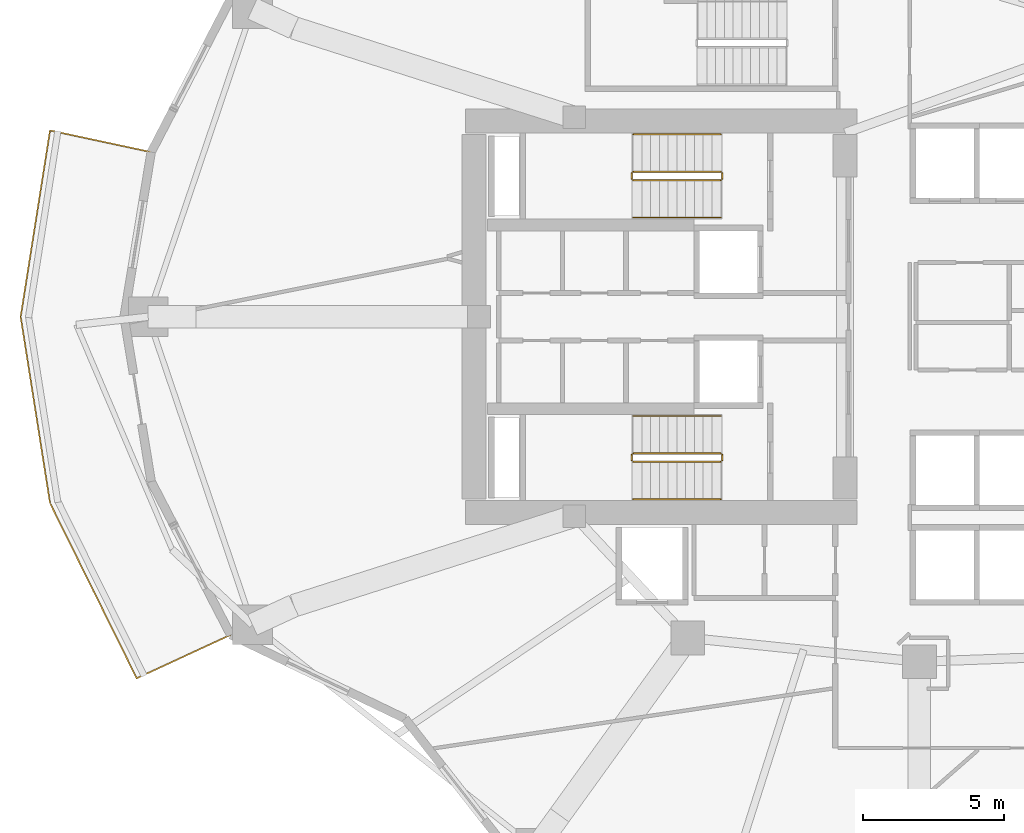
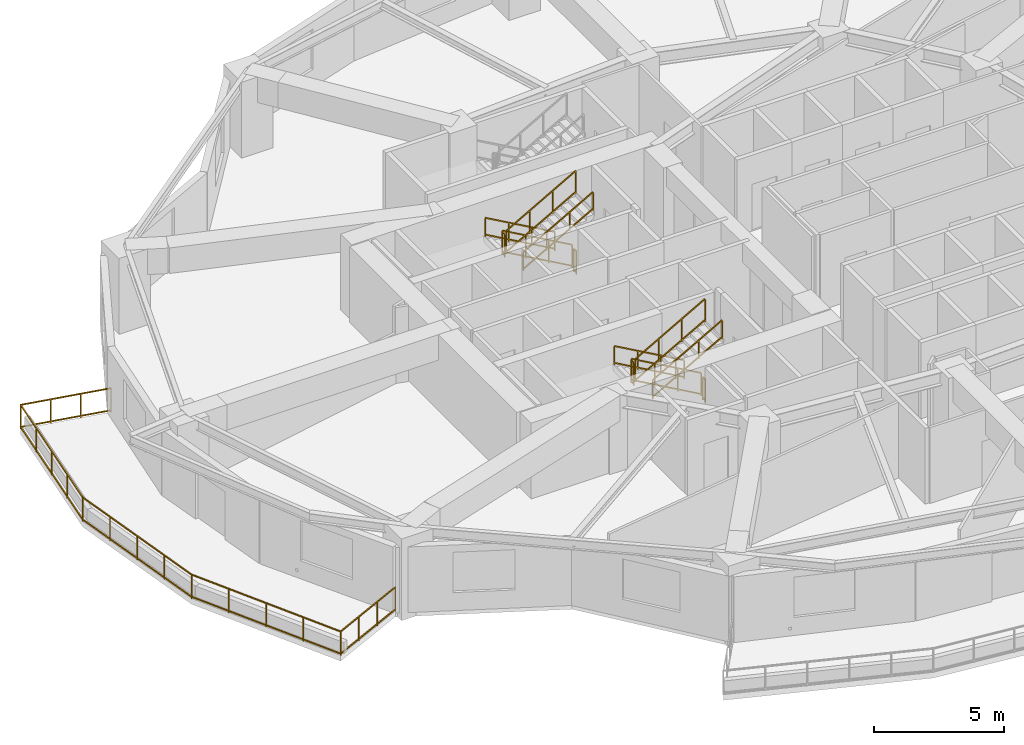
# One storey, part 10 of 13: 13 railings.
"""IFC4 building model written with IfcOpenShell, lengths in metres."""

from ifc_helpers import new_model, si_unit, direction, frame, origin, origin_2d, place, context, subcontext, project, spatial, rectangle, extrude, material, type_object, element, save


model = new_model("IFC4")

# Units and contexts
model_context = context("Model", 3, precision=1e-05, world=origin(), true_north=direction((0.0, 1.0)))
body_context = subcontext(model_context, "Body", "Model", "MODEL_VIEW")
ifc_project = project(units=[si_unit("LENGTHUNIT", "METRE"), si_unit("AREAUNIT", "SQUARE_METRE"), si_unit("VOLUMEUNIT", "CUBIC_METRE"), si_unit("PLANEANGLEUNIT", "RADIAN"), si_unit("MASSUNIT", "GRAM", prefix="KILO")], contexts=[model_context])

# Site, building, storey
site_placement = place(None, origin())
site = spatial("IfcSite", under=ifc_project, at=site_placement, CompositionType="ELEMENT")
building_placement = place(site_placement, origin())
building = spatial("IfcBuilding", under=site, at=building_placement, Name="Kolvaren Gate Tower and Convention Centre", CompositionType="ELEMENT")
storey_placement = place(building_placement, frame((0.0, 0.0, 49.60009765625)))
storey = spatial("IfcBuildingStorey", under=building, at=storey_placement, Name="L11", CompositionType="ELEMENT", Elevation=49.60009765625)

# Railings
ifc_material = material(Name="Brushed Stainless Steel Grade 316L", Category="steel")
railing_type_1 = type_object("IfcRailingType", Name="ARCH-RL-GUARD-1150", PredefinedType="GUARDRAIL", material=ifc_material)
railing_1_placement = place(storey_placement, frame((23.10009765625, 32.1298828125, 0.1748046875)))
element("IfcRailing", 1, at=railing_1_placement, inside=storey, type_object=railing_type_1, Name="L11 ST-T1 stair guard 1", PredefinedType="GUARDRAIL", context=body_context, shape_type="SweptSolid", body=[
    extrude(rectangle(XDim=0.048095703125, YDim=0.048095703125, at=origin_2d()), frame((0.0, 0.0, 1.076171875), z_axis=(-0.870830938388, 0.0, 0.491582624537), x_axis=(0.0, -1.0, 0.0)), (0.0, 0.0, 1.0), 3.559814453125),
    extrude(rectangle(XDim=0.048095703125, YDim=0.048095703125, at=origin_2d()), frame((0.0, 0.0, 0.083984375), z_axis=(-0.870830938388, 0.0, 0.491582624537), x_axis=(0.0, -1.0, 0.0)), (0.0, 0.0, 1.0), 3.559814453125),
    extrude(rectangle(XDim=0.0419921875, YDim=0.0419921875, at=origin_2d()), origin(), (0.0, 0.0, 1.0), 1.050048828125),
    extrude(rectangle(XDim=0.0419921875, YDim=0.0419921875, at=origin_2d()), frame((-3.10009765625, 0.0, 1.75)), (0.0, 0.0, 1.0), 1.050048828125),
    extrude(rectangle(XDim=0.0419921875, YDim=0.0419921875, at=origin_2d()), frame((-1.033447265625, 0.0, 0.583251953125)), (0.0, 0.0, 1.0), 1.050048828125),
    extrude(rectangle(XDim=0.0419921875, YDim=0.0419921875, at=origin_2d()), frame((-2.066650390625, 0.0, 1.166748046875)), (0.0, 0.0, 1.0), 1.050048828125),
])
railing_2_placement = place(storey_placement, frame((19.949951171875, 32.080078125, 1.9248046875)))
element("IfcRailing", 2, at=railing_2_placement, inside=storey, type_object=railing_type_1, Name="L11 ST-T1 stair guard 2", PredefinedType="GUARDRAIL", context=body_context, shape_type="SweptSolid", body=[
    extrude(rectangle(XDim=0.048095703125, YDim=0.048095703125, at=origin_2d()), frame((0.0, 0.0, 1.076171875), z_axis=(0.0, -1.0, 0.0), x_axis=(1.0, 0.0, 0.0)), (0.0, 0.0, 1.0), 0.2001953125),
    extrude(rectangle(XDim=0.048095703125, YDim=0.048095703125, at=origin_2d()), frame((0.0, 0.0, 0.083984375), z_axis=(0.0, -1.0, 0.0), x_axis=(1.0, 0.0, 0.0)), (0.0, 0.0, 1.0), 0.2001953125),
    extrude(rectangle(XDim=0.0419921875, YDim=0.0419921875, at=origin_2d()), origin(), (0.0, 0.0, 1.0), 1.050048828125),
    extrude(rectangle(XDim=0.0419921875, YDim=0.0419921875, at=origin_2d()), frame((0.0, -0.2001953125, 0.0)), (0.0, 0.0, 1.0), 1.050048828125),
])
railing_3_placement = place(storey_placement, frame((20.0, 31.830078125, 2.099853515625)))
element("IfcRailing", 3, at=railing_3_placement, inside=storey, type_object=railing_type_1, Name="L11 ST-T1 stair guard 3", PredefinedType="GUARDRAIL", context=body_context, shape_type="SweptSolid", body=[
    extrude(rectangle(XDim=0.048095703125, YDim=0.048095703125, at=origin_2d()), frame((0.0, 0.0, 1.076171875), z_axis=(0.870830938388, 0.0, 0.491582624537), x_axis=(0.0, 1.0, 0.0)), (0.0, 0.0, 1.0), 3.559814453125),
    extrude(rectangle(XDim=0.048095703125, YDim=0.048095703125, at=origin_2d()), frame((0.0, 0.0, 0.083984375), z_axis=(0.870830938388, 0.0, 0.491582624537), x_axis=(0.0, 1.0, 0.0)), (0.0, 0.0, 1.0), 3.559814453125),
    extrude(rectangle(XDim=0.0419921875, YDim=0.0419921875, at=origin_2d()), origin(), (0.0, 0.0, 1.0), 1.050048828125),
    extrude(rectangle(XDim=0.0419921875, YDim=0.0419921875, at=origin_2d()), frame((3.10009765625, 0.0, 1.75)), (0.0, 0.0, 1.0), 1.050048828125),
    extrude(rectangle(XDim=0.0419921875, YDim=0.0419921875, at=origin_2d()), frame((1.033447265625, 0.0, 0.583251953125)), (0.0, 0.0, 1.0), 1.050048828125),
    extrude(rectangle(XDim=0.0419921875, YDim=0.0419921875, at=origin_2d()), frame((2.066650390625, 0.0, 1.166748046875)), (0.0, 0.0, 1.0), 1.050048828125),
])
railing_4_placement = place(storey_placement, frame((23.14990234375, 32.080078125, 0.0)))
element("IfcRailing", 4, at=railing_4_placement, inside=storey, type_object=railing_type_1, Name="L11 ST-T1 stair guard 4", PredefinedType="GUARDRAIL", context=body_context, shape_type="SweptSolid", body=[
    extrude(rectangle(XDim=0.048095703125, YDim=0.048095703125, at=origin_2d()), frame((0.0, 0.0, 1.076171875), z_axis=(0.0, -1.0, 0.0), x_axis=(1.0, 0.0, 0.0)), (0.0, 0.0, 1.0), 0.2001953125),
    extrude(rectangle(XDim=0.048095703125, YDim=0.048095703125, at=origin_2d()), frame((0.0, 0.0, 0.083984375), z_axis=(0.0, -1.0, 0.0), x_axis=(1.0, 0.0, 0.0)), (0.0, 0.0, 1.0), 0.2001953125),
    extrude(rectangle(XDim=0.0419921875, YDim=0.0419921875, at=origin_2d()), origin(), (0.0, 0.0, 1.0), 1.050048828125),
    extrude(rectangle(XDim=0.0419921875, YDim=0.0419921875, at=origin_2d()), frame((0.0, -0.2001953125, 0.0)), (0.0, 0.0, 1.0), 1.050048828125),
])
railing_5_placement = place(storey_placement, frame((23.10009765625, 22.169921875, 0.1748046875)))
element("IfcRailing", 5, at=railing_5_placement, inside=storey, type_object=railing_type_1, Name="L11 ST-T2 stair guard 1", PredefinedType="GUARDRAIL", context=body_context, shape_type="SweptSolid", body=[
    extrude(rectangle(XDim=0.048095703125, YDim=0.048095703125, at=origin_2d()), frame((0.0, 0.0, 1.076171875), z_axis=(-0.870830938388, 0.0, 0.491582624537), x_axis=(0.0, -1.0, 0.0)), (0.0, 0.0, 1.0), 3.559814453125),
    extrude(rectangle(XDim=0.048095703125, YDim=0.048095703125, at=origin_2d()), frame((0.0, 0.0, 0.083984375), z_axis=(-0.870830938388, 0.0, 0.491582624537), x_axis=(0.0, -1.0, 0.0)), (0.0, 0.0, 1.0), 3.559814453125),
    extrude(rectangle(XDim=0.0419921875, YDim=0.0419921875, at=origin_2d()), origin(), (0.0, 0.0, 1.0), 1.050048828125),
    extrude(rectangle(XDim=0.0419921875, YDim=0.0419921875, at=origin_2d()), frame((-3.10009765625, 0.0, 1.75)), (0.0, 0.0, 1.0), 1.050048828125),
    extrude(rectangle(XDim=0.0419921875, YDim=0.0419921875, at=origin_2d()), frame((-1.033447265625, 0.0, 0.583251953125)), (0.0, 0.0, 1.0), 1.050048828125),
    extrude(rectangle(XDim=0.0419921875, YDim=0.0419921875, at=origin_2d()), frame((-2.066650390625, 0.0, 1.166748046875)), (0.0, 0.0, 1.0), 1.050048828125),
])
railing_6_placement = place(storey_placement, frame((19.949951171875, 22.1201171875, 1.9248046875)))
element("IfcRailing", 6, at=railing_6_placement, inside=storey, type_object=railing_type_1, Name="L11 ST-T2 stair guard 2", PredefinedType="GUARDRAIL", context=body_context, shape_type="SweptSolid", body=[
    extrude(rectangle(XDim=0.048095703125, YDim=0.048095703125, at=origin_2d()), frame((0.0, 0.0, 1.076171875), z_axis=(0.0, -1.0, 0.0), x_axis=(1.0, 0.0, 0.0)), (0.0, 0.0, 1.0), 0.2001953125),
    extrude(rectangle(XDim=0.048095703125, YDim=0.048095703125, at=origin_2d()), frame((0.0, 0.0, 0.083984375), z_axis=(0.0, -1.0, 0.0), x_axis=(1.0, 0.0, 0.0)), (0.0, 0.0, 1.0), 0.2001953125),
    extrude(rectangle(XDim=0.0419921875, YDim=0.0419921875, at=origin_2d()), origin(), (0.0, 0.0, 1.0), 1.050048828125),
    extrude(rectangle(XDim=0.0419921875, YDim=0.0419921875, at=origin_2d()), frame((0.0, -0.2001953125, 0.0)), (0.0, 0.0, 1.0), 1.050048828125),
])
railing_7_placement = place(storey_placement, frame((20.0, 21.8701171875, 2.099853515625)))
element("IfcRailing", 7, at=railing_7_placement, inside=storey, type_object=railing_type_1, Name="L11 ST-T2 stair guard 3", PredefinedType="GUARDRAIL", context=body_context, shape_type="SweptSolid", body=[
    extrude(rectangle(XDim=0.048095703125, YDim=0.048095703125, at=origin_2d()), frame((0.0, 0.0, 1.076171875), z_axis=(0.870830938388, 0.0, 0.491582624537), x_axis=(0.0, 1.0, 0.0)), (0.0, 0.0, 1.0), 3.559814453125),
    extrude(rectangle(XDim=0.048095703125, YDim=0.048095703125, at=origin_2d()), frame((0.0, 0.0, 0.083984375), z_axis=(0.870830938388, 0.0, 0.491582624537), x_axis=(0.0, 1.0, 0.0)), (0.0, 0.0, 1.0), 3.559814453125),
    extrude(rectangle(XDim=0.0419921875, YDim=0.0419921875, at=origin_2d()), origin(), (0.0, 0.0, 1.0), 1.050048828125),
    extrude(rectangle(XDim=0.0419921875, YDim=0.0419921875, at=origin_2d()), frame((3.10009765625, 0.0, 1.75)), (0.0, 0.0, 1.0), 1.050048828125),
    extrude(rectangle(XDim=0.0419921875, YDim=0.0419921875, at=origin_2d()), frame((1.033447265625, 0.0, 0.583251953125)), (0.0, 0.0, 1.0), 1.050048828125),
    extrude(rectangle(XDim=0.0419921875, YDim=0.0419921875, at=origin_2d()), frame((2.066650390625, 0.0, 1.166748046875)), (0.0, 0.0, 1.0), 1.050048828125),
])
railing_8_placement = place(storey_placement, frame((23.14990234375, 22.1201171875, 0.0)))
element("IfcRailing", 8, at=railing_8_placement, inside=storey, type_object=railing_type_1, Name="L11 ST-T2 stair guard 4", PredefinedType="GUARDRAIL", context=body_context, shape_type="SweptSolid", body=[
    extrude(rectangle(XDim=0.048095703125, YDim=0.048095703125, at=origin_2d()), frame((0.0, 0.0, 1.076171875), z_axis=(0.0, -1.0, 0.0), x_axis=(1.0, 0.0, 0.0)), (0.0, 0.0, 1.0), 0.2001953125),
    extrude(rectangle(XDim=0.048095703125, YDim=0.048095703125, at=origin_2d()), frame((0.0, 0.0, 0.083984375), z_axis=(0.0, -1.0, 0.0), x_axis=(1.0, 0.0, 0.0)), (0.0, 0.0, 1.0), 0.2001953125),
    extrude(rectangle(XDim=0.0419921875, YDim=0.0419921875, at=origin_2d()), origin(), (0.0, 0.0, 1.0), 1.050048828125),
    extrude(rectangle(XDim=0.0419921875, YDim=0.0419921875, at=origin_2d()), frame((0.0, -0.2001953125, 0.0)), (0.0, 0.0, 1.0), 1.050048828125),
])
railing_9_placement = place(storey_placement, frame((2.958251953125, 32.823486328125, 0.0)))
element("IfcRailing", 9, at=railing_9_placement, inside=storey, type_object=railing_type_1, Name="Tower L11 Terrace Perimeter Guardrail GR-2", PredefinedType="GUARDRAIL", context=body_context, shape_type="SweptSolid", body=[
    extrude(rectangle(XDim=0.048095703125, YDim=0.048095703125, at=origin_2d()), frame((-0.02734375, 0.005859375, 1.1259765625), z_axis=(-0.977788745232, 0.209592866525, 0.0), x_axis=(-0.209592866525, -0.977788745232, 0.0)), (0.0, 0.0, 1.0), 3.603759765625),
    extrude(rectangle(XDim=0.048095703125, YDim=0.048095703125, at=origin_2d()), frame((-0.02734375, 0.005859375, 0.083984375), z_axis=(-0.977788745232, 0.209592866525, 0.0), x_axis=(-0.209592866525, -0.977788745232, 0.0)), (0.0, 0.0, 1.0), 3.603759765625),
    extrude(rectangle(XDim=0.048095703125, YDim=0.048095703125, at=origin_2d()), frame((-3.5830078125, 0.739501953125, 1.1259765625), z_axis=(-0.155806612617, -0.987787578108, 0.0), x_axis=(0.987787578108, -0.155806612617, 0.0)), (0.0, 0.0, 1.0), 6.615966796875),
    extrude(rectangle(XDim=0.048095703125, YDim=0.048095703125, at=origin_2d()), frame((-3.5830078125, 0.739501953125, 0.083984375), z_axis=(-0.155806612617, -0.987787578108, 0.0), x_axis=(0.987787578108, -0.155806612617, 0.0)), (0.0, 0.0, 1.0), 6.615966796875),
    extrude(rectangle(XDim=0.048095703125, YDim=0.048095703125, at=origin_2d()), frame((-4.61376953125, -5.85107421875, 1.1259765625), z_axis=(0.155806612617, -0.987787578108, 0.0), x_axis=(0.987787578108, 0.155806612617, 0.0)), (0.0, 0.0, 1.0), 6.615966796875),
    extrude(rectangle(XDim=0.048095703125, YDim=0.048095703125, at=origin_2d()), frame((-4.61376953125, -5.85107421875, 0.083984375), z_axis=(0.155806612617, -0.987787578108, 0.0), x_axis=(0.987787578108, 0.155806612617, 0.0)), (0.0, 0.0, 1.0), 6.615966796875),
    extrude(rectangle(XDim=0.048095703125, YDim=0.048095703125, at=origin_2d()), frame((-3.566162109375, -12.439208984375, 1.1259765625), z_axis=(0.443578479433, -0.8962355341, 0.0), x_axis=(0.8962355341, 0.443578479433, 0.0)), (0.0, 0.0, 1.0), 6.855224609375),
    extrude(rectangle(XDim=0.048095703125, YDim=0.048095703125, at=origin_2d()), frame((-3.566162109375, -12.439208984375, 0.083984375), z_axis=(0.443578479433, -0.8962355341, 0.0), x_axis=(0.8962355341, 0.443578479433, 0.0)), (0.0, 0.0, 1.0), 6.855224609375),
    extrude(rectangle(XDim=0.048095703125, YDim=0.048095703125, at=origin_2d()), frame((-0.487548828125, -18.596435546875, 1.1259765625), z_axis=(0.907846116663, 0.419303503993, 0.0), x_axis=(-0.419303503993, 0.907846116663, 0.0)), (0.0, 0.0, 1.0), 3.60400390625),
    extrude(rectangle(XDim=0.048095703125, YDim=0.048095703125, at=origin_2d()), frame((-0.487548828125, -18.596435546875, 0.083984375), z_axis=(0.907846116663, 0.419303503993, 0.0), x_axis=(-0.419303503993, 0.907846116663, 0.0)), (0.0, 0.0, 1.0), 3.60400390625),
    extrude(rectangle(XDim=0.0419921875, YDim=0.0419921875, at=origin_2d()), origin(), (0.0, 0.0, 1.0), 1.14990234375),
    extrude(rectangle(XDim=0.0419921875, YDim=0.0419921875, at=origin_2d()), frame((-3.57861328125, 0.76708984375, 0.0)), (0.0, 0.0, 1.0), 1.14990234375),
    extrude(rectangle(XDim=0.0419921875, YDim=0.0419921875, at=origin_2d()), frame((-1.19287109375, 0.255615234375, 0.0)), (0.0, 0.0, 1.0), 1.099853515625),
    extrude(rectangle(XDim=0.0419921875, YDim=0.0419921875, at=origin_2d()), frame((-2.3857421875, 0.511474609375, 0.0)), (0.0, 0.0, 1.0), 1.099853515625),
    extrude(rectangle(XDim=0.0419921875, YDim=0.0419921875, at=origin_2d()), frame((-4.6181640625, -5.823486328125, 0.0)), (0.0, 0.0, 1.0), 1.14990234375),
    extrude(rectangle(XDim=0.0419921875, YDim=0.0419921875, at=origin_2d()), frame((-3.83837890625, -0.880615234375, 0.0)), (0.0, 0.0, 1.0), 1.099853515625),
    extrude(rectangle(XDim=0.0419921875, YDim=0.0419921875, at=origin_2d()), frame((-4.098388671875, -2.5283203125, 0.0)), (0.0, 0.0, 1.0), 1.099853515625),
    extrude(rectangle(XDim=0.0419921875, YDim=0.0419921875, at=origin_2d()), frame((-4.3583984375, -4.17578125, 0.0)), (0.0, 0.0, 1.0), 1.099853515625),
    extrude(rectangle(XDim=0.0419921875, YDim=0.0419921875, at=origin_2d()), frame((-3.57861328125, -12.4140625, 0.0)), (0.0, 0.0, 1.0), 1.14990234375),
    extrude(rectangle(XDim=0.0419921875, YDim=0.0419921875, at=origin_2d()), frame((-4.3583984375, -7.47119140625, 0.0)), (0.0, 0.0, 1.0), 1.099853515625),
    extrude(rectangle(XDim=0.0419921875, YDim=0.0419921875, at=origin_2d()), frame((-4.098388671875, -9.11865234375, 0.0)), (0.0, 0.0, 1.0), 1.099853515625),
    extrude(rectangle(XDim=0.0419921875, YDim=0.0419921875, at=origin_2d()), frame((-3.83837890625, -10.766357421875, 0.0)), (0.0, 0.0, 1.0), 1.099853515625),
    extrude(rectangle(XDim=0.0419921875, YDim=0.0419921875, at=origin_2d()), frame((-0.512939453125, -18.608154296875, 0.0)), (0.0, 0.0, 1.0), 1.14990234375),
    extrude(rectangle(XDim=0.0419921875, YDim=0.0419921875, at=origin_2d()), frame((-2.812255859375, -13.962646484375, 0.0)), (0.0, 0.0, 1.0), 1.099853515625),
    extrude(rectangle(XDim=0.0419921875, YDim=0.0419921875, at=origin_2d()), frame((-2.0458984375, -15.51123046875, 0.0)), (0.0, 0.0, 1.0), 1.099853515625),
    extrude(rectangle(XDim=0.0419921875, YDim=0.0419921875, at=origin_2d()), frame((-1.279296875, -17.0595703125, 0.0)), (0.0, 0.0, 1.0), 1.099853515625),
    extrude(rectangle(XDim=0.0419921875, YDim=0.0419921875, at=origin_2d()), frame((2.809814453125, -17.073486328125, 0.0)), (0.0, 0.0, 1.0), 1.14990234375),
    extrude(rectangle(XDim=0.0419921875, YDim=0.0419921875, at=origin_2d()), frame((0.5947265625, -18.0966796875, 0.0)), (0.0, 0.0, 1.0), 1.099853515625),
    extrude(rectangle(XDim=0.0419921875, YDim=0.0419921875, at=origin_2d()), frame((1.7021484375, -17.5849609375, 0.0)), (0.0, 0.0, 1.0), 1.099853515625),
])
railing_type_2 = type_object("IfcRailingType", Name="ARCH-RL-HANDRAIL-920", PredefinedType="HANDRAIL", material=ifc_material)
railing_10_placement = place(storey_placement, frame((23.10009765625, 33.449951171875, 0.1748046875)))
element("IfcRailing", 10, at=railing_10_placement, inside=storey, type_object=railing_type_2, Name="L11 ST-T1 stair handrail 1", PredefinedType="HANDRAIL", context=body_context, shape_type="SweptSolid", body=[
    extrude(rectangle(XDim=0.048095703125, YDim=0.048095703125, at=origin_2d()), frame((0.0, 0.0, 0.8759765625), z_axis=(-0.870830938388, 0.0, 0.491582624537), x_axis=(0.0, -1.0, 0.0)), (0.0, 0.0, 1.0), 3.559814453125),
    extrude(rectangle(XDim=0.048095703125, YDim=0.048095703125, at=origin_2d()), frame((0.0, 0.0, 0.083984375), z_axis=(-0.870830938388, 0.0, 0.491582624537), x_axis=(0.0, -1.0, 0.0)), (0.0, 0.0, 1.0), 3.559814453125),
    extrude(rectangle(XDim=0.0419921875, YDim=0.0419921875, at=origin_2d()), origin(), (0.0, 0.0, 1.0), 0.849853515625),
    extrude(rectangle(XDim=0.0419921875, YDim=0.0419921875, at=origin_2d()), frame((-3.10009765625, 0.0, 1.75)), (0.0, 0.0, 1.0), 0.849853515625),
    extrude(rectangle(XDim=0.0419921875, YDim=0.0419921875, at=origin_2d()), frame((-1.033447265625, 0.0, 0.583251953125)), (0.0, 0.0, 1.0), 0.849853515625),
    extrude(rectangle(XDim=0.0419921875, YDim=0.0419921875, at=origin_2d()), frame((-2.066650390625, 0.0, 1.166748046875)), (0.0, 0.0, 1.0), 0.849853515625),
])
railing_11_placement = place(storey_placement, frame((20.0, 30.510009765625, 2.099853515625)))
element("IfcRailing", 11, at=railing_11_placement, inside=storey, type_object=railing_type_2, Name="L11 ST-T1 stair handrail 2", PredefinedType="HANDRAIL", context=body_context, shape_type="SweptSolid", body=[
    extrude(rectangle(XDim=0.048095703125, YDim=0.048095703125, at=origin_2d()), frame((0.0, 0.0, 0.8759765625), z_axis=(0.870830938388, 0.0, 0.491582624537), x_axis=(0.0, 1.0, 0.0)), (0.0, 0.0, 1.0), 3.559814453125),
    extrude(rectangle(XDim=0.048095703125, YDim=0.048095703125, at=origin_2d()), frame((0.0, 0.0, 0.083984375), z_axis=(0.870830938388, 0.0, 0.491582624537), x_axis=(0.0, 1.0, 0.0)), (0.0, 0.0, 1.0), 3.559814453125),
    extrude(rectangle(XDim=0.0419921875, YDim=0.0419921875, at=origin_2d()), origin(), (0.0, 0.0, 1.0), 0.849853515625),
    extrude(rectangle(XDim=0.0419921875, YDim=0.0419921875, at=origin_2d()), frame((3.10009765625, 0.0, 1.75)), (0.0, 0.0, 1.0), 0.849853515625),
    extrude(rectangle(XDim=0.0419921875, YDim=0.0419921875, at=origin_2d()), frame((1.033447265625, 0.0, 0.583251953125)), (0.0, 0.0, 1.0), 0.849853515625),
    extrude(rectangle(XDim=0.0419921875, YDim=0.0419921875, at=origin_2d()), frame((2.066650390625, 0.0, 1.166748046875)), (0.0, 0.0, 1.0), 0.849853515625),
])
railing_12_placement = place(storey_placement, frame((23.10009765625, 23.489990234375, 0.1748046875)))
element("IfcRailing", 12, at=railing_12_placement, inside=storey, type_object=railing_type_2, Name="L11 ST-T2 stair handrail 1", PredefinedType="HANDRAIL", context=body_context, shape_type="SweptSolid", body=[
    extrude(rectangle(XDim=0.048095703125, YDim=0.048095703125, at=origin_2d()), frame((0.0, 0.0, 0.8759765625), z_axis=(-0.870830938388, 0.0, 0.491582624537), x_axis=(0.0, -1.0, 0.0)), (0.0, 0.0, 1.0), 3.559814453125),
    extrude(rectangle(XDim=0.048095703125, YDim=0.048095703125, at=origin_2d()), frame((0.0, 0.0, 0.083984375), z_axis=(-0.870830938388, 0.0, 0.491582624537), x_axis=(0.0, -1.0, 0.0)), (0.0, 0.0, 1.0), 3.559814453125),
    extrude(rectangle(XDim=0.0419921875, YDim=0.0419921875, at=origin_2d()), origin(), (0.0, 0.0, 1.0), 0.849853515625),
    extrude(rectangle(XDim=0.0419921875, YDim=0.0419921875, at=origin_2d()), frame((-3.10009765625, 0.0, 1.75)), (0.0, 0.0, 1.0), 0.849853515625),
    extrude(rectangle(XDim=0.0419921875, YDim=0.0419921875, at=origin_2d()), frame((-1.033447265625, 0.0, 0.583251953125)), (0.0, 0.0, 1.0), 0.849853515625),
    extrude(rectangle(XDim=0.0419921875, YDim=0.0419921875, at=origin_2d()), frame((-2.066650390625, 0.0, 1.166748046875)), (0.0, 0.0, 1.0), 0.849853515625),
])
railing_13_placement = place(storey_placement, frame((20.0, 20.550048828125, 2.099853515625)))
element("IfcRailing", 13, at=railing_13_placement, inside=storey, type_object=railing_type_2, Name="L11 ST-T2 stair handrail 2", PredefinedType="HANDRAIL", context=body_context, shape_type="SweptSolid", body=[
    extrude(rectangle(XDim=0.048095703125, YDim=0.048095703125, at=origin_2d()), frame((0.0, 0.0, 0.8759765625), z_axis=(0.870830938388, 0.0, 0.491582624537), x_axis=(0.0, 1.0, 0.0)), (0.0, 0.0, 1.0), 3.559814453125),
    extrude(rectangle(XDim=0.048095703125, YDim=0.048095703125, at=origin_2d()), frame((0.0, 0.0, 0.083984375), z_axis=(0.870830938388, 0.0, 0.491582624537), x_axis=(0.0, 1.0, 0.0)), (0.0, 0.0, 1.0), 3.559814453125),
    extrude(rectangle(XDim=0.0419921875, YDim=0.0419921875, at=origin_2d()), origin(), (0.0, 0.0, 1.0), 0.849853515625),
    extrude(rectangle(XDim=0.0419921875, YDim=0.0419921875, at=origin_2d()), frame((3.10009765625, 0.0, 1.75)), (0.0, 0.0, 1.0), 0.849853515625),
    extrude(rectangle(XDim=0.0419921875, YDim=0.0419921875, at=origin_2d()), frame((1.033447265625, 0.0, 0.583251953125)), (0.0, 0.0, 1.0), 0.849853515625),
    extrude(rectangle(XDim=0.0419921875, YDim=0.0419921875, at=origin_2d()), frame((2.066650390625, 0.0, 1.166748046875)), (0.0, 0.0, 1.0), 0.849853515625),
])

save(model, "model.ifc")
